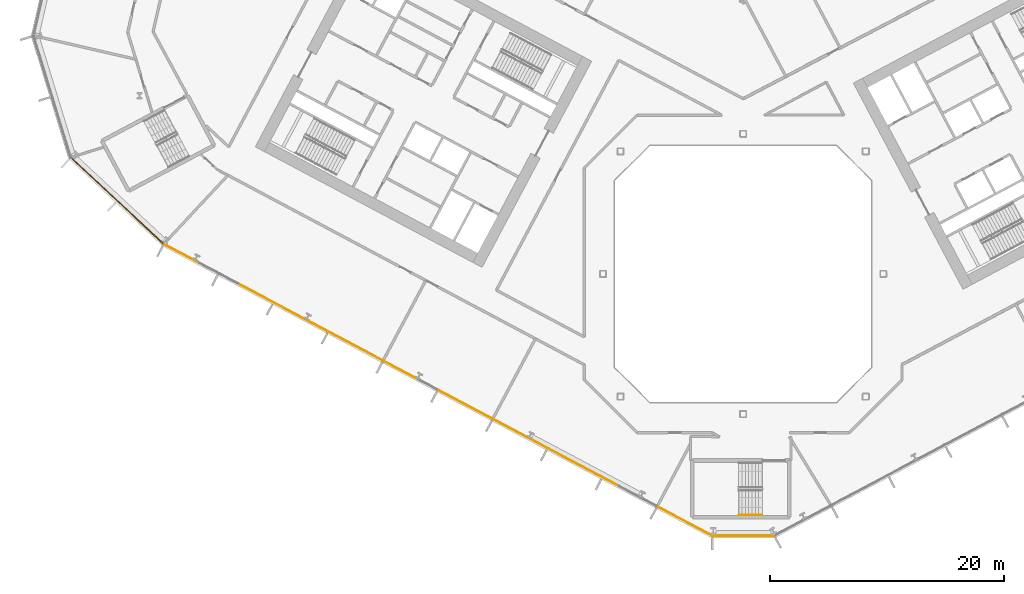
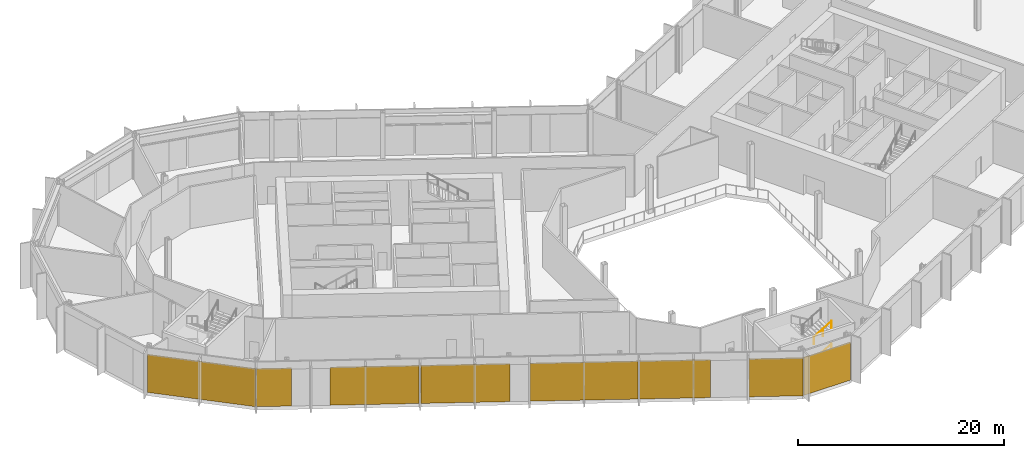
# One storey, part 20 of 31: 8 coverings, 2 railings, 3 elements without a shape of their own.
"""IFC4 building model written with IfcOpenShell, lengths in metres."""

import ifcopenshell
import ifcopenshell.guid

model = None  # the IFC model being written
_history = None  # IfcOwnerHistory: only IFC2X3 demands one
_inside = {}  # id of a spatial element -> (the spatial element, [elements in it])
_under = {}  # id of a project, library or spatial element -> (it, [spatial elements below it])
_declared = {}  # id of a project -> (the project, [libraries it declares])
_typed = {}  # id of a type object -> (the type object, [elements of that type])
_made_of = {}  # id of a material, layer set ... -> (it, [elements and type objects made of it])


def new_model(schema):
    """Start an empty IFC model of exactly this schema.

    Asked for "IFC4X3", IfcOpenShell would pick the latest addendum, in which some entities
    have other attributes; the version numbers below select the first issue.
    IFC2X3 requires an IfcOwnerHistory on every rooted entity: one is made here for all.
    """
    global model, _history
    if schema == "IFC4X3":
        model = ifcopenshell.file(schema_version=(4, 3, 0, 0))
    else:
        model = ifcopenshell.file(schema=schema)
    _inside.clear()
    _under.clear()
    _declared.clear()
    _typed.clear()
    _made_of.clear()
    _history = None
    if model.schema == "IFC2X3":
        org = make("IfcOrganization", Name="unknown")
        user = make(
            "IfcPersonAndOrganization",
            ThePerson=make("IfcPerson", FamilyName="unknown"),
            TheOrganization=org,
        )
        app = make(
            "IfcApplication",
            ApplicationDeveloper=org,
            Version="unknown",
            ApplicationFullName="unknown",
            ApplicationIdentifier="unknown",
        )
        _history = make(
            "IfcOwnerHistory",
            OwningUser=user,
            OwningApplication=app,
            ChangeAction="ADDED",
            CreationDate=0,
        )
    return model


def make(cls, **values):
    """One entity of the class cls with the attributes given. An attribute that is None is left unset."""
    return model.create_entity(
        cls, **{name: value for name, value in values.items() if value is not None}
    )


def rooted(cls, **values):
    """An entity with a GlobalId (a new one), such as an element, a storey or a relation."""
    return make(cls, GlobalId=ifcopenshell.guid.new(), OwnerHistory=_history, **values)


def si_unit(unit_type, name, prefix=None):
    """IfcSIUnit, for example si_unit("LENGTHUNIT", "METRE", prefix="MILLI")."""
    return make("IfcSIUnit", UnitType=unit_type, Prefix=prefix, Name=name)


def assignment(units):
    """IfcUnitAssignment: the units of a project."""
    return None if units is None else make("IfcUnitAssignment", Units=units)


def point(xyz):
    """IfcCartesianPoint."""
    return None if xyz is None else make("IfcCartesianPoint", Coordinates=xyz)


def direction(xyz):
    """IfcDirection."""
    return None if xyz is None else make("IfcDirection", DirectionRatios=xyz)


def frame(location, z_axis=None, x_axis=None):
    """IfcAxis2Placement3D, a coordinate frame: its origin and axes. An axis left out is left unset."""
    return make(
        "IfcAxis2Placement3D",
        Location=point(location),
        Axis=direction(z_axis),
        RefDirection=direction(x_axis),
    )


def frame_2d(location, x_axis=None):
    """IfcAxis2Placement2D, a coordinate frame in the plane: its origin and x axis."""
    return make(
        "IfcAxis2Placement2D", Location=point(location), RefDirection=direction(x_axis)
    )


def origin():
    """The frame at (0, 0, 0) with its axes left unset."""
    return frame((0.0, 0.0, 0.0))


def origin_2d():
    """The frame at (0, 0) in the plane with its x axis left unset."""
    return frame_2d((0.0, 0.0))


def place(relative_to, where):
    """IfcLocalPlacement: puts the frame where relative to a parent placement (None: the world)."""
    return make(
        "IfcLocalPlacement", PlacementRelTo=relative_to, RelativePlacement=where
    )


def context(
    kind, dimensions, precision=None, world=None, true_north=None, identifier=None
):
    """IfcGeometricRepresentationContext, for example the 3D "Model" context."""
    return make(
        "IfcGeometricRepresentationContext",
        ContextIdentifier=identifier,
        ContextType=kind,
        CoordinateSpaceDimension=dimensions,
        Precision=precision,
        WorldCoordinateSystem=world,
        TrueNorth=true_north,
    )


def subcontext(parent, identifier, kind, view, scale=None):
    """IfcGeometricRepresentationSubContext, for example "Body" below "Model"."""
    return make(
        "IfcGeometricRepresentationSubContext",
        ContextIdentifier=identifier,
        ContextType=kind,
        ParentContext=parent,
        TargetScale=scale,
        TargetView=view,
    )


def project(units=None, contexts=None):
    """IfcProject with its units and contexts."""
    return rooted(
        "IfcProject",
        Name="project",
        RepresentationContexts=contexts,
        UnitsInContext=assignment(units),
    )


def spatial(cls, under=None, at=None, **own):
    """A site, building, storey or space (cls), placed at a placement, below another one or the project."""
    s = rooted(cls, ObjectPlacement=at, **own)
    if under is not None:
        _under.setdefault(under.id(), (under, []))[1].append(s)
    return s


def polyline(points):
    """IfcPolyline through the points."""
    return make("IfcPolyline", Points=[point(p) for p in points])


def profile(cls, at=None, kind="AREA", **sizes):
    """A parametric profile (cls). Its sizes go by their IFC names, for example OverallWidth=200.0."""
    return make(cls, ProfileType=kind, Position=at, **sizes)


def rectangle(**sizes):
    """IfcRectangleProfileDef."""
    return profile("IfcRectangleProfileDef", **sizes)


def outline(outer, holes=None, kind="AREA"):
    """IfcArbitraryClosedProfileDef: a profile drawn as a closed curve; with holes, ...WithVoids."""
    if holes is None:
        return make("IfcArbitraryClosedProfileDef", ProfileType=kind, OuterCurve=outer)
    return make(
        "IfcArbitraryProfileDefWithVoids",
        ProfileType=kind,
        OuterCurve=outer,
        InnerCurves=holes,
    )


def extrude(swept, where, along, depth):
    """IfcExtrudedAreaSolid: the profile swept, set in the frame where, extruded along a direction by depth."""
    return make(
        "IfcExtrudedAreaSolid",
        SweptArea=swept,
        Position=where,
        ExtrudedDirection=direction(along),
        Depth=depth,
    )


def shape(context_of_items, identifier, shape_type, items):
    """IfcShapeRepresentation: the items that make up one representation, for example the "Body"."""
    return make(
        "IfcShapeRepresentation",
        ContextOfItems=context_of_items,
        RepresentationIdentifier=identifier,
        RepresentationType=shape_type,
        Items=items,
    )


def material(Name=None, Category=None):
    """IfcMaterial."""
    return make("IfcMaterial", Name=Name, Category=Category)


def layer(
    of_material, thickness, ventilated=None, Name=None, Category=None, Priority=None
):
    """IfcMaterialLayer: one layer of a wall or slab, of a material (None: an air gap)."""
    return make(
        "IfcMaterialLayer",
        Material=of_material,
        LayerThickness=thickness,
        IsVentilated=ventilated,
        Name=Name,
        Category=Category,
        Priority=Priority,
    )


def layer_set(layers, Name=None):
    """IfcMaterialLayerSet."""
    return make("IfcMaterialLayerSet", MaterialLayers=layers, LayerSetName=Name)


def made_of(thing, what):
    """Note that an element or type object is made of a material, layer set ...; save() writes the relation."""
    if what is not None:
        _made_of.setdefault(what.id(), (what, []))[1].append(thing)
    return thing


def type_object(cls, material=None, **own):
    """A type object (cls), such as IfcWallType, which elements share."""
    return made_of(rooted(cls, **own), material)


def element(
    cls,
    number,
    at=None,
    inside=None,
    cuts=None,
    type_object=None,
    material=None,
    context=None,
    identifier="Body",
    shape_type=None,
    held_by="IfcProductDefinitionShape",
    body=None,
    shapes=None,
    **own,
):
    """One element of the class cls, such as IfcWall. Its Tag is "e" and its number.

    at: its placement. inside: the storey or other place that contains it. cuts: it is an
    opening in that element (IfcRelVoidsElement). A single representation is given by context,
    identifier, shape_type and body (its items); several are given by shapes. held_by: the class
    of the entity that holds the representations. save() writes the other relations.
    """
    e = rooted(cls, Tag="e%d" % number, ObjectPlacement=at, **own)
    if body is not None:
        shapes = [shape(context, identifier, shape_type, body)]
    if shapes is not None:
        e.Representation = make(held_by, Representations=shapes)
    if inside is not None:
        _inside.setdefault(inside.id(), (inside, []))[1].append(e)
    if cuts is not None:
        rooted(
            "IfcRelVoidsElement", RelatingBuildingElement=cuts, RelatedOpeningElement=e
        )
    if type_object is not None:
        _typed.setdefault(type_object.id(), (type_object, []))[1].append(e)
    return made_of(e, material)


def aggregate(whole, parts):
    """IfcRelAggregates: a whole, such as a stair, and the parts it consists of."""
    return rooted("IfcRelAggregates", RelatingObject=whole, RelatedObjects=parts)


def save(model, path):
    """Write the relations noted so far, then the file.

    IfcRelAggregates (storeys below a building ...), IfcRelContainedInSpatialStructure (elements
    in a storey), IfcRelDefinesByType, IfcRelAssociatesMaterial and IfcRelDeclares: one each for
    every whole, place, type object, material and project.
    """
    for whole, parts in _under.values():
        aggregate(whole, parts)
    for where, things in _inside.values():
        rooted(
            "IfcRelContainedInSpatialStructure",
            RelatedElements=things,
            RelatingStructure=where,
        )
    for kind, things in _typed.values():
        rooted("IfcRelDefinesByType", RelatedObjects=things, RelatingType=kind)
    for what, things in _made_of.values():
        rooted("IfcRelAssociatesMaterial", RelatedObjects=things, RelatingMaterial=what)
    for by, libraries in _declared.values():
        rooted("IfcRelDeclares", RelatingContext=by, RelatedDefinitions=libraries)
    model.write(path)


model = new_model("IFC4")

# Units and contexts
model_context = context("Model", 3, precision=1e-05, world=origin(), true_north=direction((0.0, 1.0)))
body_context = subcontext(model_context, "Body", "Model", "MODEL_VIEW")
ifc_project = project(units=[si_unit("LENGTHUNIT", "METRE"), si_unit("AREAUNIT", "SQUARE_METRE"), si_unit("VOLUMEUNIT", "CUBIC_METRE"), si_unit("PLANEANGLEUNIT", "RADIAN"), si_unit("MASSUNIT", "GRAM", prefix="KILO")], contexts=[model_context])

# Site, building, storey
site_placement = place(None, origin())
site = spatial("IfcSite", under=ifc_project, at=site_placement, CompositionType="ELEMENT")
building_placement = place(site_placement, origin())
building = spatial("IfcBuilding", under=site, at=building_placement, Name="Cormorant Relay Tower", CompositionType="ELEMENT")
storey_placement = place(building_placement, frame((0.0, 0.0, 23.0)))
storey = spatial("IfcBuildingStorey", under=building, at=storey_placement, Name="L04", CompositionType="ELEMENT", Elevation=23.0)

# Curtain wall, covering
ifc_material_1 = material(Name="Aluminium 6063-T6 anodised bronze", Category="aluminium")
ifc_layer_1 = layer(ifc_material_1, 0.235107421875)
ifc_layer_set_1 = layer_set([ifc_layer_1], Name="CW6 data hall curtain wall with mineral wool panels")
curtain_wall_type = type_object("IfcCurtainWallType", Name="CW6 data hall curtain wall with mineral wool panels", PredefinedType="NOTDEFINED", material=ifc_layer_set_1)
curtain_wall_1_placement = place(storey_placement, origin())
curtain_wall_1 = element("IfcCurtainWall", 1, at=curtain_wall_1_placement, inside=storey, type_object=curtain_wall_type, Name="CW6 curtain wall 1", PredefinedType="NOTDEFINED")
ifc_material_2 = material(Name="Mineral wool cored anodised bronze aluminium cassette panel", Category="aluminium")
ifc_layer_2 = layer(ifc_material_2, 0.074951171875)
ifc_layer_set_2 = layer_set([ifc_layer_2], Name="CW6 mineral wool cassette panel 75")
covering_type = type_object("IfcCoveringType", Name="CW6 mineral wool cassette panel 75", PredefinedType="CLADDING", material=ifc_layer_set_2)
covering_1_placement = place(storey_placement, frame((0.03759765625, -22.4130859375, 0.0), z_axis=(0.0, 0.0, 1.0), x_axis=(1.0, 0.0, 0.0)))
covering_1 = element("IfcCovering", 2, at=covering_1_placement, type_object=covering_type, Name="CW6 panel S00", PredefinedType="CLADDING", context=body_context, shape_type="SweptSolid", body=[
    extrude(rectangle(XDim=5.22265625, YDim=0.074951171875, at=origin_2d()), origin(), (0.0, 0.0, 1.0), 4.5),
])
aggregate(curtain_wall_1, [covering_1])

curtain_wall_2_placement = place(storey_placement, origin())
curtain_wall_2 = element("IfcCurtainWall", 3, at=curtain_wall_2_placement, inside=storey, type_object=curtain_wall_type, Name="CW6 curtain wall 13", PredefinedType="NOTDEFINED")
covering_2_placement = place(storey_placement, frame((-53.564697265625, 6.238037109375, 0.0), z_axis=(0.0, 0.0, 1.0), x_axis=(0.731353701619, -0.681998360062, 0.0)))
covering_2 = element("IfcCovering", 4, at=covering_2_placement, type_object=covering_type, Name="CW6 panel S00", PredefinedType="CLADDING", context=body_context, shape_type="SweptSolid", body=[
    extrude(rectangle(XDim=10.79541015625, YDim=0.074951171875, at=origin_2d()), origin(), (0.0, 0.0, 1.0), 4.5),
])
aggregate(curtain_wall_2, [covering_2])

# Curtain wall, coverings
curtain_wall_3_placement = place(storey_placement, origin())
curtain_wall_3 = element("IfcCurtainWall", 5, at=curtain_wall_3_placement, inside=storey, type_object=curtain_wall_type, Name="CW6 curtain wall 14", PredefinedType="NOTDEFINED")
covering_3_placement = place(storey_placement, frame((-48.056640625, 1.7255859375, 0.0), z_axis=(0.0, 0.0, 1.0), x_axis=(0.882947592859, -0.469471562786, 0.0)))
covering_3 = element("IfcCovering", 6, at=covering_3_placement, type_object=covering_type, Name="CW6 panel S00", PredefinedType="CLADDING", context=body_context, shape_type="SweptSolid", body=[
    extrude(rectangle(XDim=3.36669921875, YDim=0.074951171875, at=origin_2d()), origin(), (0.0, 0.0, 1.0), 4.5),
])
covering_4_placement = place(storey_placement, frame((-39.426025390625, -2.86328125, 0.0), z_axis=(0.0, 0.0, 1.0), x_axis=(0.882947592859, -0.469471562786, 0.0)))
covering_4 = element("IfcCovering", 7, at=covering_4_placement, type_object=covering_type, Name="CW6 panel S03", PredefinedType="CLADDING", context=body_context, shape_type="SweptSolid", body=[
    extrude(rectangle(XDim=8.68310546875, YDim=0.074951171875, at=origin_2d()), origin(), (0.0, 0.0, 1.0), 4.5),
])
covering_5_placement = place(storey_placement, frame((-31.626708984375, -7.01025390625, 0.0), z_axis=(0.0, 0.0, 1.0), x_axis=(0.882947592859, -0.469471562786, 0.0)))
covering_5 = element("IfcCovering", 8, at=covering_5_placement, type_object=covering_type, Name="CW6 panel S04", PredefinedType="CLADDING", context=body_context, shape_type="SweptSolid", body=[
    extrude(rectangle(XDim=8.68310546875, YDim=0.074951171875, at=origin_2d()), origin(), (0.0, 0.0, 1.0), 4.5),
])
covering_6_placement = place(storey_placement, frame((-21.443603515625, -12.4248046875, 0.0), z_axis=(0.0, 0.0, 1.0), x_axis=(0.882947592859, -0.469471562786, 0.0)))
covering_6 = element("IfcCovering", 9, at=covering_6_placement, type_object=covering_type, Name="CW6 panel S06", PredefinedType="CLADDING", context=body_context, shape_type="SweptSolid", body=[
    extrude(rectangle(XDim=10.483154296875, YDim=0.074951171875, at=origin_2d()), origin(), (0.0, 0.0, 1.0), 4.5),
])
covering_7_placement = place(storey_placement, frame((-13.644287109375, -16.571533203125, 0.0), z_axis=(0.0, 0.0, 1.0), x_axis=(0.882947592859, -0.469471562786, 0.0)))
covering_7 = element("IfcCovering", 10, at=covering_7_placement, type_object=covering_type, Name="CW6 panel S07", PredefinedType="CLADDING", context=body_context, shape_type="SweptSolid", body=[
    extrude(rectangle(XDim=6.88330078125, YDim=0.074951171875, at=origin_2d()), origin(), (0.0, 0.0, 1.0), 4.5),
])
covering_8_placement = place(storey_placement, frame((-4.98046875, -21.17822265625, 0.0), z_axis=(0.0, 0.0, 1.0), x_axis=(0.882947592859, -0.469471562786, 0.0)))
covering_8 = element("IfcCovering", 11, at=covering_8_placement, type_object=covering_type, Name="CW6 panel S09", PredefinedType="CLADDING", context=body_context, shape_type="SweptSolid", body=[
    extrude(rectangle(XDim=5.24169921875, YDim=0.074951171875, at=origin_2d()), origin(), (0.0, 0.0, 1.0), 4.5),
])
aggregate(curtain_wall_3, [covering_3, covering_4, covering_5, covering_6, covering_7, covering_8])

# Railings
ifc_material_3 = material(Name="Steel ASTM A572 Grade 50 (Fy 345 MPa)", Category="steel")
railing_type = type_object("IfcRailingType", Name="Stair handrail 900", PredefinedType="HANDRAIL", material=ifc_material_3)
for number, where, name in (
    (12, (-0.360107421875, -20.625, 1.518798828125), "L04 RK1 stair handrail 2"),
    (13, (-0.360107421875, -20.625, 4.21875), "L04 RK1 stair handrail 4"),
):
    element("IfcRailing", number, at=place(storey_placement, frame(where)), inside=storey, type_object=railing_type, Name=name, PredefinedType="HANDRAIL", context=body_context, shape_type="SweptSolid", body=[
        extrude(outline(polyline([(0.022216796875, 0.00927734375), (0.00927734375, 0.022216796875), (-0.00927734375, 0.022216796875), (-0.022216796875, 0.00927734375), (-0.022216796875, -0.00927734375), (-0.00927734375, -0.022216796875), (0.00927734375, -0.022216796875), (0.022216796875, -0.00927734375), (0.022216796875, 0.00927734375)])), frame((0.0, 0.0, 0.8759765625), z_axis=(0.856521883693, 0.0, 0.516110707847), x_axis=(0.0, 1.0, 0.0)), (0.0, 0.0, 1.0), 2.28857421875),
        extrude(outline(polyline([(0.019287109375, 0.008056640625), (0.008056640625, 0.019287109375), (-0.008056640625, 0.019287109375), (-0.019287109375, 0.008056640625), (-0.019287109375, -0.008056640625), (-0.008056640625, -0.019287109375), (0.008056640625, -0.019287109375), (0.019287109375, -0.008056640625), (0.019287109375, 0.008056640625)])), origin(), (0.0, 0.0, 1.0), 0.851806640625),
        extrude(outline(polyline([(0.019287109375, 0.008056640625), (0.008056640625, 0.019287109375), (-0.008056640625, 0.019287109375), (-0.019287109375, 0.008056640625), (-0.019287109375, -0.008056640625), (-0.008056640625, -0.019287109375), (0.008056640625, -0.019287109375), (0.019287109375, -0.008056640625), (0.019287109375, 0.008056640625)])), frame((0.97998046875, 0.0, 0.590576171875)), (0.0, 0.0, 1.0), 0.851806640625),
        extrude(outline(polyline([(0.019287109375, 0.008056640625), (0.008056640625, 0.019287109375), (-0.008056640625, 0.019287109375), (-0.019287109375, 0.008056640625), (-0.019287109375, -0.008056640625), (-0.008056640625, -0.019287109375), (0.008056640625, -0.019287109375), (0.019287109375, -0.008056640625), (0.019287109375, 0.008056640625)])), frame((1.960205078125, 0.0, 1.18115234375)), (0.0, 0.0, 1.0), 0.851806640625),
    ])

save(model, "model.ifc")
